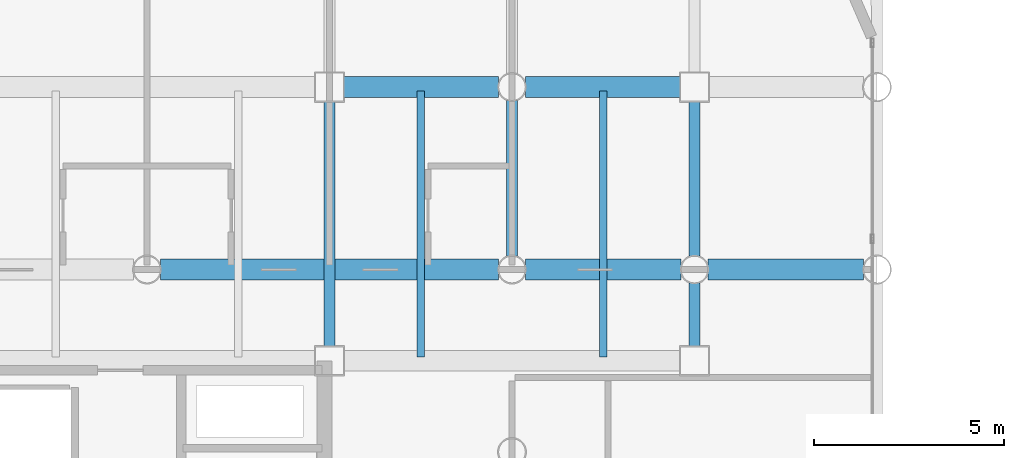
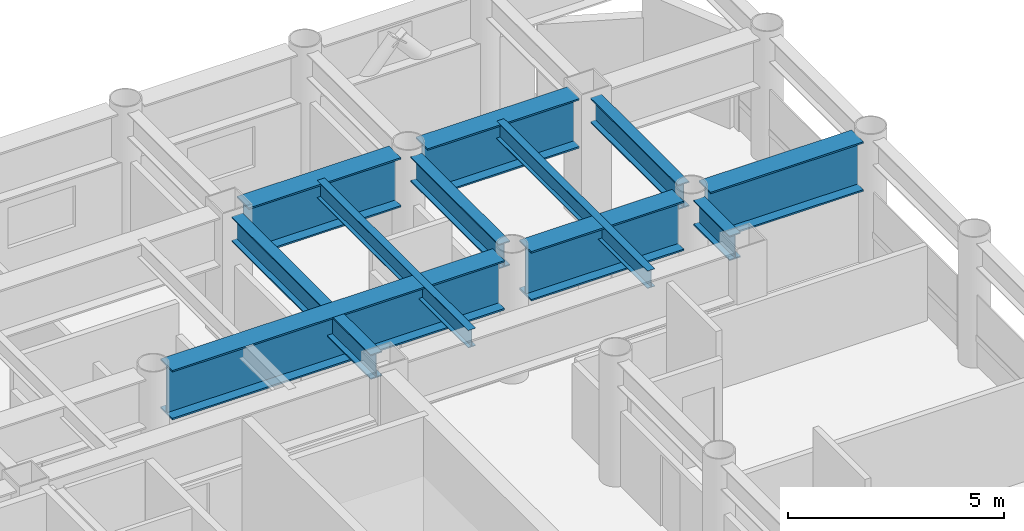
# One storey, part 13 of 24: 11 beams.
"""IFC4 building model written with IfcOpenShell, lengths in metres."""

from ifc_helpers import new_model, si_unit, direction, frame, origin, origin_2d, place, context, subcontext, project, spatial, i_section, extrude, material, material_profile, profile_set, type_object, element, save


model = new_model("IFC4")

# Units and contexts
model_context = context("Model", 3, precision=1e-05, world=origin(), true_north=direction((0.0, 1.0)))
body_context = subcontext(model_context, "Body", "Model", "MODEL_VIEW")
ifc_project = project(units=[si_unit("LENGTHUNIT", "METRE"), si_unit("AREAUNIT", "SQUARE_METRE"), si_unit("VOLUMEUNIT", "CUBIC_METRE"), si_unit("PLANEANGLEUNIT", "RADIAN"), si_unit("MASSUNIT", "GRAM", prefix="KILO")], contexts=[model_context])

# Site, building, storey
site_placement = place(None, origin())
site = spatial("IfcSite", under=ifc_project, at=site_placement, CompositionType="ELEMENT")
building_placement = place(site_placement, origin())
building = spatial("IfcBuilding", under=site, at=building_placement, Name="Kallvorn Hotel Tower", CompositionType="ELEMENT")
storey_placement = place(building_placement, frame((0.0, 0.0, 30.0)))
storey = spatial("IfcBuildingStorey", under=building, at=storey_placement, Name="L05", CompositionType="ELEMENT", Elevation=30.0)

# Beams
ifc_material_1 = material(Name="Structural steel S355JR", Category="steel")
ifc_material_profile_1 = material_profile(ifc_material_1, i_section(OverallWidth=0.300048828125, OverallDepth=0.699951171875, WebThickness=0.01708984375, FlangeThickness=0.031982421875, at=origin_2d()), Name="HE 700 B")
ifc_profile_set_1 = profile_set([ifc_material_profile_1], Name="Structural steel S355JR")
beam_type_1 = type_object("IfcBeamType", Name="BM_HE700B", PredefinedType="BEAM", material=ifc_profile_set_1)
beam_1_placement = place(storey_placement, frame((14.39990234375, 7.574951171875, 3.169921875), z_axis=(0.0, 1.0, 0.0), x_axis=(-1.0, 0.0, 0.0)))
element("IfcBeam", 1, at=beam_1_placement, inside=storey, type_object=beam_type_1, Name="L06 Primary Y-Girder 125", PredefinedType="BEAM", context=body_context, shape_type="SweptSolid", body=[
    extrude(i_section(OverallWidth=0.300048828125, OverallDepth=0.699951171875, WebThickness=0.01708984375, FlangeThickness=0.031982421875, at=origin_2d()), origin(), (0.0, 0.0, 1.0), 6.449951171875),
])
beam_2_placement = place(storey_placement, frame((19.199951171875, 9.9560546875, 3.169921875), z_axis=(0.0, 1.0, 0.0), x_axis=(-1.0, 0.0, 0.0)))
element("IfcBeam", 2, at=beam_2_placement, inside=storey, type_object=beam_type_1, Name="L06 Primary Y-Girder 134", PredefinedType="BEAM", context=body_context, shape_type="SweptSolid", body=[
    extrude(i_section(OverallWidth=0.300048828125, OverallDepth=0.699951171875, WebThickness=0.01708984375, FlangeThickness=0.031982421875, at=origin_2d()), origin(), (0.0, 0.0, 1.0), 4.087890625),
])
beam_3_placement = place(storey_placement, frame((24.0, 7.574951171875, 3.169921875), z_axis=(0.0, 1.0, 0.0), x_axis=(-1.0, 0.0, 0.0)))
element("IfcBeam", 3, at=beam_3_placement, inside=storey, type_object=beam_type_1, Name="L06 Primary Y-Girder 140", PredefinedType="BEAM", context=body_context, shape_type="SweptSolid", body=[
    extrude(i_section(OverallWidth=0.300048828125, OverallDepth=0.699951171875, WebThickness=0.01708984375, FlangeThickness=0.031982421875, at=origin_2d()), origin(), (0.0, 0.0, 1.0), 1.6689453125),
])
beam_4_placement = place(storey_placement, frame((24.0, 9.9560546875, 3.169921875), z_axis=(0.0, 1.0, 0.0), x_axis=(-1.0, 0.0, 0.0)))
element("IfcBeam", 4, at=beam_4_placement, inside=storey, type_object=beam_type_1, Name="L06 Primary Y-Girder 141", PredefinedType="BEAM", context=body_context, shape_type="SweptSolid", body=[
    extrude(i_section(OverallWidth=0.300048828125, OverallDepth=0.699951171875, WebThickness=0.01708984375, FlangeThickness=0.031982421875, at=origin_2d()), origin(), (0.0, 0.0, 1.0), 4.06884765625),
])
ifc_material_2 = material(Name="Structural steel S355JR", Category="steel")
ifc_material_profile_2 = material_profile(ifc_material_2, i_section(OverallWidth=0.199951171875, OverallDepth=0.5, WebThickness=0.01025390625, FlangeThickness=0.01611328125, at=origin_2d()), Name="IPE 500")
ifc_profile_set_2 = profile_set([ifc_material_profile_2], Name="Structural steel S355JR")
beam_type_2 = type_object("IfcBeamType", Name="BM_IPE500", PredefinedType="JOIST", material=ifc_profile_set_2)
for number, where, z_axis, x_axis, name in (
    (5, (16.800048828125, 7.300048828125, 3.27001953125), (0.0, 1.0, 0.0), (-1.0, 0.0, 0.0), "L06 Secondary Composite Joist 207"),
    (6, (21.60009765625, 7.300048828125, 3.27001953125), (0.0, 1.0, 0.0), (-1.0, 0.0, 0.0), "L06 Secondary Composite Joist 209"),
):
    element("IfcBeam", number, at=place(storey_placement, frame(where, z_axis=z_axis, x_axis=x_axis)), inside=storey, type_object=beam_type_2, Name=name, PredefinedType="JOIST", context=body_context, shape_type="SweptSolid", body=[
        extrude(i_section(OverallWidth=0.199951171875, OverallDepth=0.5, WebThickness=0.01025390625, FlangeThickness=0.01611328125, at=origin_2d()), origin(), (0.0, 0.0, 1.0), 7.0),
    ])
ifc_material_3 = material(Name="Structural steel S355JR", Category="steel")
ifc_material_profile_3 = material_profile(ifc_material_3, i_section(OverallWidth=0.550048828125, OverallDepth=1.39990234375, WebThickness=0.02490234375, FlangeThickness=0.044921875, at=origin_2d()), Name="PG 1400x550x25x45")
ifc_profile_set_3 = profile_set([ifc_material_profile_3], Name="Structural steel S355JR")
beam_type_3 = type_object("IfcBeamType", Name="BM_PG_1400", PredefinedType="BEAM", material=ifc_profile_set_3)
beam_5_placement = place(storey_placement, frame((9.9560546875, 9.60009765625, 2.820068359375), z_axis=(1.0, 0.0, 0.0), x_axis=(0.0, 1.0, 0.0)))
element("IfcBeam", 7, at=beam_5_placement, inside=storey, type_object=beam_type_3, Name="L06 Primary X-Girder 48", PredefinedType="BEAM", context=body_context, shape_type="SweptSolid", body=[
    extrude(i_section(OverallWidth=0.550048828125, OverallDepth=1.39990234375, WebThickness=0.02490234375, FlangeThickness=0.044921875, at=origin_2d()), origin(), (0.0, 0.0, 1.0), 8.887939453125),
])
for number, where, z_axis, x_axis, name in (
    (8, (19.555908203125, 9.60009765625, 2.820068359375), (1.0, 0.0, 0.0), (0.0, 1.0, 0.0), "L06 Primary X-Girder 49"),
    (9, (24.35595703125, 9.60009765625, 2.820068359375), (1.0, 0.0, 0.0), (0.0, 1.0, 0.0), "L06 Primary X-Girder 50"),
):
    element("IfcBeam", number, at=place(storey_placement, frame(where, z_axis=z_axis, x_axis=x_axis)), inside=storey, type_object=beam_type_3, Name=name, PredefinedType="BEAM", context=body_context, shape_type="SweptSolid", body=[
        extrude(i_section(OverallWidth=0.550048828125, OverallDepth=1.39990234375, WebThickness=0.02490234375, FlangeThickness=0.044921875, at=origin_2d()), origin(), (0.0, 0.0, 1.0), 4.088134765625),
    ])
for number, where, z_axis, x_axis, name in (
    (10, (14.77490234375, 14.39990234375, 2.820068359375), (1.0, 0.0, 0.0), (0.0, 1.0, 0.0), "L06 Primary X-Girder 58"),
    (11, (19.555908203125, 14.39990234375, 2.820068359375), (1.0, 0.0, 0.0), (0.0, 1.0, 0.0), "L06 Primary X-Girder 59"),
):
    element("IfcBeam", number, at=place(storey_placement, frame(where, z_axis=z_axis, x_axis=x_axis)), inside=storey, type_object=beam_type_3, Name=name, PredefinedType="BEAM", context=body_context, shape_type="SweptSolid", body=[
        extrude(i_section(OverallWidth=0.550048828125, OverallDepth=1.39990234375, WebThickness=0.02490234375, FlangeThickness=0.044921875, at=origin_2d()), origin(), (0.0, 0.0, 1.0), 4.069091796875),
    ])

save(model, "model.ifc")
